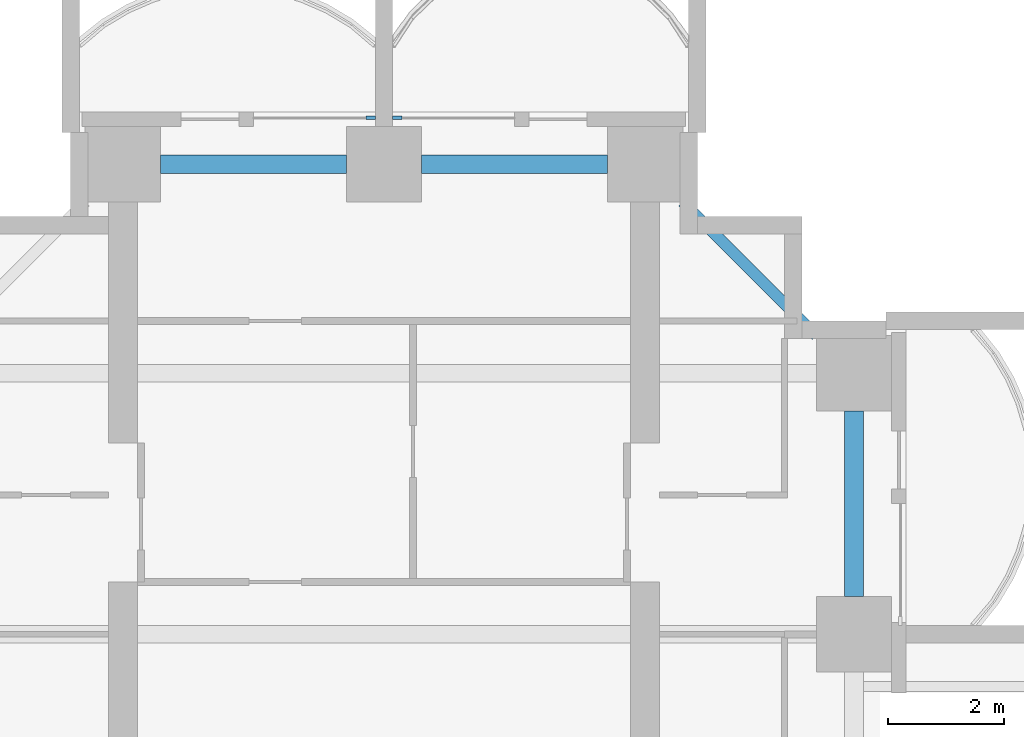
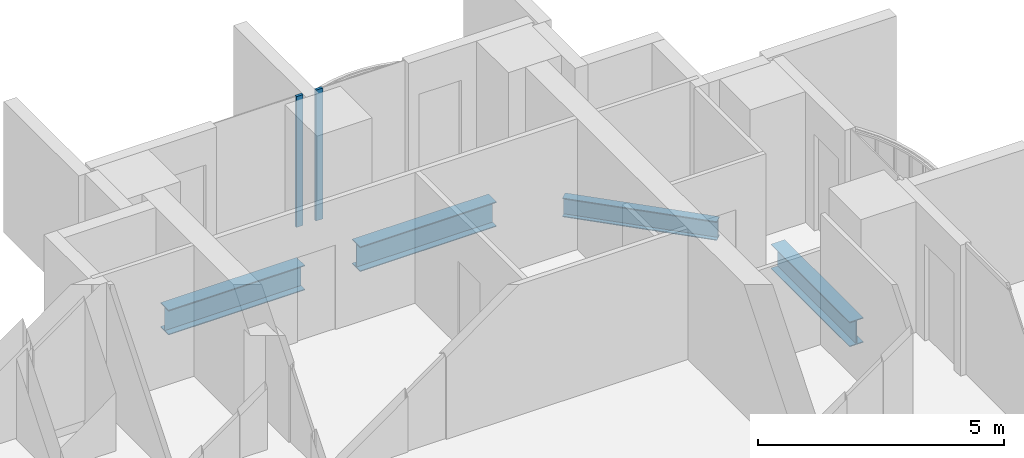
# One storey, part 8 of 23: 4 beams, 2 members, 2 elements without a shape of their own.
"""IFC4 building model written with IfcOpenShell, lengths in metres."""

from ifc_helpers import new_model, si_unit, direction, frame, origin, origin_2d, place, context, subcontext, project, spatial, rectangle, i_section, extrude, material, material_profile, profile_set, type_object, element, aggregate, save


model = new_model("IFC4")

# Units and contexts
model_context = context("Model", 3, precision=1e-05, world=origin(), true_north=direction((0.0, 1.0)))
body_context = subcontext(model_context, "Body", "Model", "MODEL_VIEW")
ifc_project = project(units=[si_unit("LENGTHUNIT", "METRE"), si_unit("AREAUNIT", "SQUARE_METRE"), si_unit("VOLUMEUNIT", "CUBIC_METRE"), si_unit("PLANEANGLEUNIT", "RADIAN"), si_unit("MASSUNIT", "GRAM", prefix="KILO")], contexts=[model_context])

# Site, building, storey
site_placement = place(None, origin())
site = spatial("IfcSite", under=ifc_project, at=site_placement, CompositionType="ELEMENT")
building_placement = place(site_placement, origin())
building = spatial("IfcBuilding", under=site, at=building_placement, Name="Perihelion Cross Residences", CompositionType="ELEMENT")
storey_placement = place(building_placement, frame((0.0, 0.0, 85.5)))
storey = spatial("IfcBuildingStorey", under=building, at=storey_placement, Name="L19", CompositionType="ELEMENT", Elevation=85.5)

# Curtain wall, member
ifc_material_1 = material(Name="Bronze anodised aluminium, tinted glazing", Category="aluminium")
curtain_wall_type = type_object("IfcCurtainWallType", Name="CW1", PredefinedType="NOTDEFINED", material=ifc_material_1)
curtain_wall_1_placement = place(storey_placement, origin())
curtain_wall_1 = element("IfcCurtainWall", 1, at=curtain_wall_1_placement, inside=storey, type_object=curtain_wall_type, Name="Curtain wall CW1 L19 north tip north bay 1", PredefinedType="NOTDEFINED")
ifc_material_2 = material(Name="Bronze anodised aluminium", Category="aluminium")
ifc_material_profile_1 = material_profile(ifc_material_2, rectangle(XDim=0.06005859375, YDim=0.159912109375, at=origin_2d()), Name="CW1 mullion")
ifc_profile_set_1 = profile_set([ifc_material_profile_1], Name="Bronze anodised aluminium")
member_type = type_object("IfcMemberType", Name="CW1 mullion", PredefinedType="MULLION", material=ifc_profile_set_1)
member_1_placement = place(storey_placement, frame((0.22998046875, 26.89990234375, 0.0), z_axis=(0.0, 0.0, 1.0), x_axis=(0.0, -1.0, 0.0)))
member_1 = element("IfcMember", 2, at=member_1_placement, type_object=member_type, Name="CW1 mullion 2", PredefinedType="MULLION", context=body_context, shape_type="SweptSolid", body=[
    extrude(rectangle(XDim=0.06005859375, YDim=0.159912109375, at=origin_2d()), origin(), (0.0, 0.0, 1.0), 3.25),
])
aggregate(curtain_wall_1, [member_1])

curtain_wall_2_placement = place(storey_placement, origin())
curtain_wall_2 = element("IfcCurtainWall", 3, at=curtain_wall_2_placement, inside=storey, type_object=curtain_wall_type, Name="Curtain wall CW1 L19 north tip north bay 2", PredefinedType="NOTDEFINED")
member_2_placement = place(storey_placement, frame((-0.22998046875, 26.89990234375, 0.0), z_axis=(0.0, 0.0, 1.0), x_axis=(0.0, -1.0, 0.0)))
member_2 = element("IfcMember", 4, at=member_2_placement, type_object=member_type, Name="CW1 mullion 1", PredefinedType="MULLION", context=body_context, shape_type="SweptSolid", body=[
    extrude(rectangle(XDim=0.06005859375, YDim=0.159912109375, at=origin_2d()), origin(), (0.0, 0.0, 1.0), 3.25),
])
aggregate(curtain_wall_2, [member_2])

# Beams
ifc_material_3 = material(Name="Steel S355", Category="steel")
ifc_material_profile_2 = material_profile(ifc_material_3, i_section(OverallWidth=0.324951171875, OverallDepth=0.616943359375, WebThickness=0.013916015625, FlangeThickness=0.021484375, at=origin_2d()), Name="W610x174")
ifc_profile_set_2 = profile_set([ifc_material_profile_2], Name="Steel S355")
beam_type_1 = type_object("IfcBeamType", Name="Edge beam W610x174", PredefinedType="SPANDREL", material=ifc_profile_set_2)
for number, where, z_axis, x_axis, name in (
    (5, (8.10009765625, 18.64990234375, -0.55859375), (0.0, 1.0, 0.0), (-1.0, 0.0, 0.0), "Edge beam SB2 L19 no. 19"),
    (6, (3.85009765625, 26.10009765625, -0.55859375), (-1.0, 0.0, 0.0), (0.0, -1.0, 0.0), "Edge beam SB2 L19 no. 15"),
    (7, (-0.64990234375, 26.10009765625, -0.55859375), (-1.0, 0.0, 0.0), (0.0, -1.0, 0.0), "Edge beam SB2 L19 no. 11"),
):
    element("IfcBeam", number, at=place(storey_placement, frame(where, z_axis=z_axis, x_axis=x_axis)), inside=storey, type_object=beam_type_1, Name=name, PredefinedType="SPANDREL", context=body_context, shape_type="SweptSolid", body=[
        extrude(i_section(OverallWidth=0.324951171875, OverallDepth=0.616943359375, WebThickness=0.013916015625, FlangeThickness=0.021484375, at=origin_2d()), origin(), (0.0, 0.0, 1.0), 3.2001953125),
    ])
ifc_material_4 = material(Name="Steel S355", Category="steel")
ifc_material_profile_3 = material_profile(ifc_material_4, i_section(OverallWidth=0.194091796875, OverallDepth=0.469970703125, WebThickness=0.0126953125, FlangeThickness=0.0205078125, at=origin_2d()), Name="W460x106")
ifc_profile_set_3 = profile_set([ifc_material_profile_3], Name="Steel S355")
beam_type_2 = type_object("IfcBeamType", Name="Serration edge beam W460x106", PredefinedType="BEAM", material=ifc_profile_set_3)
beam_placement = place(storey_placement, frame((7.449951171875, 23.14990234375, -0.485107421875), z_axis=(-0.707106781187, 0.707106781187, 0.0), x_axis=(-0.707106781187, -0.707106781187, 0.0)))
element("IfcBeam", 8, at=beam_placement, inside=storey, type_object=beam_type_2, Name="Serration edge beam EB2 L19 no. 4", PredefinedType="BEAM", context=body_context, shape_type="SweptSolid", body=[
    extrude(i_section(OverallWidth=0.194091796875, OverallDepth=0.469970703125, WebThickness=0.0126953125, FlangeThickness=0.0205078125, at=origin_2d()), origin(), (0.0, 0.0, 1.0), 3.252685546875),
])

save(model, "model.ifc")
